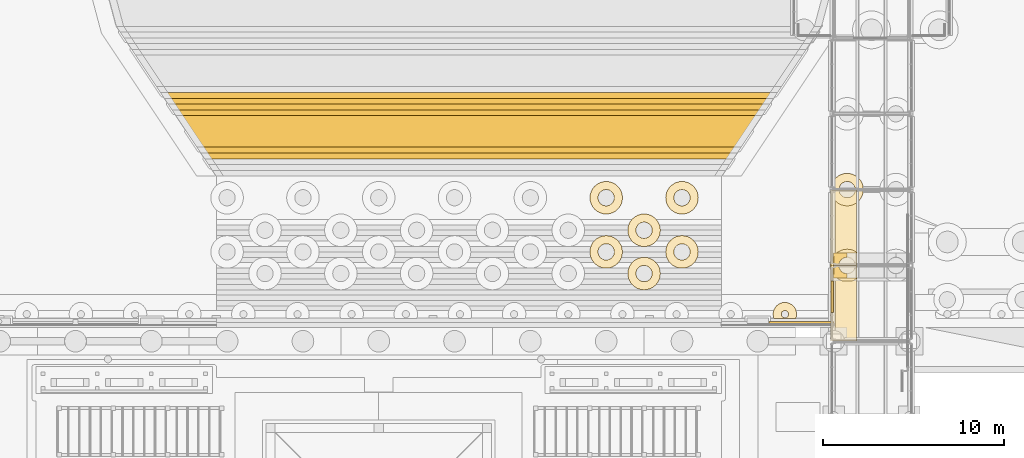
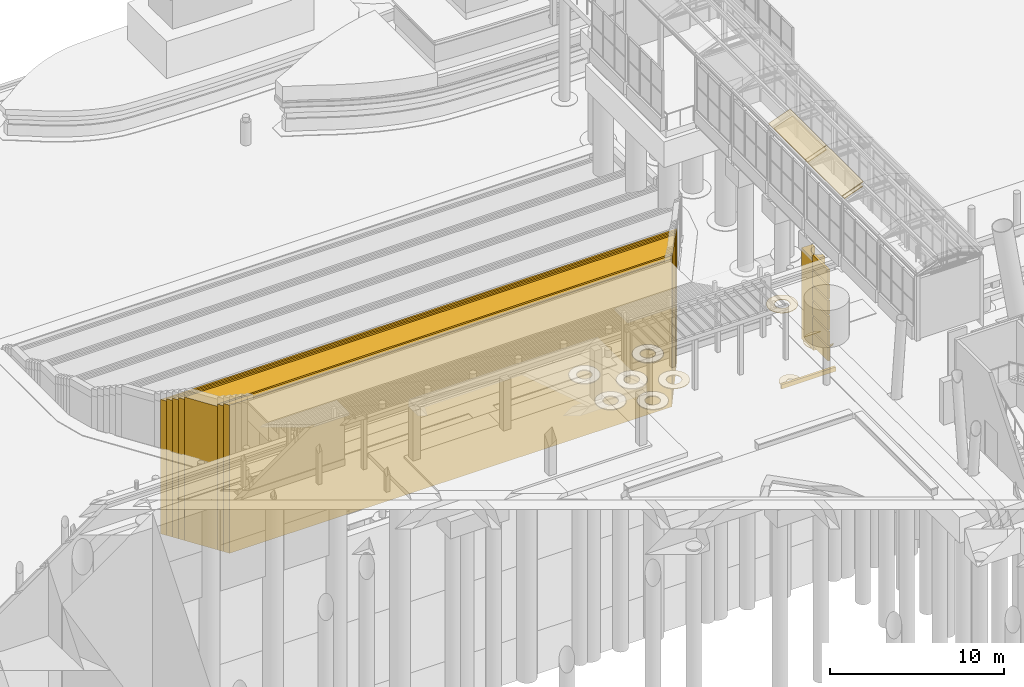
# One storey, part 180 of 222: 30 coverings.
"""IFC4 building model written with IfcOpenShell, lengths in metres."""

import ifcopenshell
import ifcopenshell.guid

model = None  # the IFC model being written
_history = None  # IfcOwnerHistory: only IFC2X3 demands one
_inside = {}  # id of a spatial element -> (the spatial element, [elements in it])
_under = {}  # id of a project, library or spatial element -> (it, [spatial elements below it])
_declared = {}  # id of a project -> (the project, [libraries it declares])
_typed = {}  # id of a type object -> (the type object, [elements of that type])
_made_of = {}  # id of a material, layer set ... -> (it, [elements and type objects made of it])


def new_model(schema):
    """Start an empty IFC model of exactly this schema.

    Asked for "IFC4X3", IfcOpenShell would pick the latest addendum, in which some entities
    have other attributes; the version numbers below select the first issue.
    IFC2X3 requires an IfcOwnerHistory on every rooted entity: one is made here for all.
    """
    global model, _history
    if schema == "IFC4X3":
        model = ifcopenshell.file(schema_version=(4, 3, 0, 0))
    else:
        model = ifcopenshell.file(schema=schema)
    _inside.clear()
    _under.clear()
    _declared.clear()
    _typed.clear()
    _made_of.clear()
    _history = None
    if model.schema == "IFC2X3":
        org = make("IfcOrganization", Name="unknown")
        user = make(
            "IfcPersonAndOrganization",
            ThePerson=make("IfcPerson", FamilyName="unknown"),
            TheOrganization=org,
        )
        app = make(
            "IfcApplication",
            ApplicationDeveloper=org,
            Version="unknown",
            ApplicationFullName="unknown",
            ApplicationIdentifier="unknown",
        )
        _history = make(
            "IfcOwnerHistory",
            OwningUser=user,
            OwningApplication=app,
            ChangeAction="ADDED",
            CreationDate=0,
        )
    return model


def make(cls, **values):
    """One entity of the class cls with the attributes given. An attribute that is None is left unset."""
    return model.create_entity(
        cls, **{name: value for name, value in values.items() if value is not None}
    )


def rooted(cls, **values):
    """An entity with a GlobalId (a new one), such as an element, a storey or a relation."""
    return make(cls, GlobalId=ifcopenshell.guid.new(), OwnerHistory=_history, **values)


def si_unit(unit_type, name, prefix=None):
    """IfcSIUnit, for example si_unit("LENGTHUNIT", "METRE", prefix="MILLI")."""
    return make("IfcSIUnit", UnitType=unit_type, Prefix=prefix, Name=name)


def assignment(units):
    """IfcUnitAssignment: the units of a project."""
    return None if units is None else make("IfcUnitAssignment", Units=units)


def point(xyz):
    """IfcCartesianPoint."""
    return None if xyz is None else make("IfcCartesianPoint", Coordinates=xyz)


def direction(xyz):
    """IfcDirection."""
    return None if xyz is None else make("IfcDirection", DirectionRatios=xyz)


def frame(location, z_axis=None, x_axis=None):
    """IfcAxis2Placement3D, a coordinate frame: its origin and axes. An axis left out is left unset."""
    return make(
        "IfcAxis2Placement3D",
        Location=point(location),
        Axis=direction(z_axis),
        RefDirection=direction(x_axis),
    )


def origin():
    """The frame at (0, 0, 0) with its axes left unset."""
    return frame((0.0, 0.0, 0.0))


def place(relative_to, where):
    """IfcLocalPlacement: puts the frame where relative to a parent placement (None: the world)."""
    return make(
        "IfcLocalPlacement", PlacementRelTo=relative_to, RelativePlacement=where
    )


def context(
    kind, dimensions, precision=None, world=None, true_north=None, identifier=None
):
    """IfcGeometricRepresentationContext, for example the 3D "Model" context."""
    return make(
        "IfcGeometricRepresentationContext",
        ContextIdentifier=identifier,
        ContextType=kind,
        CoordinateSpaceDimension=dimensions,
        Precision=precision,
        WorldCoordinateSystem=world,
        TrueNorth=true_north,
    )


def subcontext(parent, identifier, kind, view, scale=None):
    """IfcGeometricRepresentationSubContext, for example "Body" below "Model"."""
    return make(
        "IfcGeometricRepresentationSubContext",
        ContextIdentifier=identifier,
        ContextType=kind,
        ParentContext=parent,
        TargetScale=scale,
        TargetView=view,
    )


def project(units=None, contexts=None):
    """IfcProject with its units and contexts."""
    return rooted(
        "IfcProject",
        Name="project",
        RepresentationContexts=contexts,
        UnitsInContext=assignment(units),
    )


def spatial(cls, under=None, at=None, **own):
    """A site, building, storey or space (cls), placed at a placement, below another one or the project."""
    s = rooted(cls, ObjectPlacement=at, **own)
    if under is not None:
        _under.setdefault(under.id(), (under, []))[1].append(s)
    return s


def polyline(points):
    """IfcPolyline through the points."""
    return make("IfcPolyline", Points=[point(p) for p in points])


def outline(outer, holes=None, kind="AREA"):
    """IfcArbitraryClosedProfileDef: a profile drawn as a closed curve; with holes, ...WithVoids."""
    if holes is None:
        return make("IfcArbitraryClosedProfileDef", ProfileType=kind, OuterCurve=outer)
    return make(
        "IfcArbitraryProfileDefWithVoids",
        ProfileType=kind,
        OuterCurve=outer,
        InnerCurves=holes,
    )


def extrude(swept, where, along, depth):
    """IfcExtrudedAreaSolid: the profile swept, set in the frame where, extruded along a direction by depth."""
    return make(
        "IfcExtrudedAreaSolid",
        SweptArea=swept,
        Position=where,
        ExtrudedDirection=direction(along),
        Depth=depth,
    )


def shape(context_of_items, identifier, shape_type, items):
    """IfcShapeRepresentation: the items that make up one representation, for example the "Body"."""
    return make(
        "IfcShapeRepresentation",
        ContextOfItems=context_of_items,
        RepresentationIdentifier=identifier,
        RepresentationType=shape_type,
        Items=items,
    )


def material(Name=None, Category=None):
    """IfcMaterial."""
    return make("IfcMaterial", Name=Name, Category=Category)


def layer(
    of_material, thickness, ventilated=None, Name=None, Category=None, Priority=None
):
    """IfcMaterialLayer: one layer of a wall or slab, of a material (None: an air gap)."""
    return make(
        "IfcMaterialLayer",
        Material=of_material,
        LayerThickness=thickness,
        IsVentilated=ventilated,
        Name=Name,
        Category=Category,
        Priority=Priority,
    )


def layer_set(layers, Name=None):
    """IfcMaterialLayerSet."""
    return make("IfcMaterialLayerSet", MaterialLayers=layers, LayerSetName=Name)


def made_of(thing, what):
    """Note that an element or type object is made of a material, layer set ...; save() writes the relation."""
    if what is not None:
        _made_of.setdefault(what.id(), (what, []))[1].append(thing)
    return thing


def type_object(cls, material=None, **own):
    """A type object (cls), such as IfcWallType, which elements share."""
    return made_of(rooted(cls, **own), material)


def element(
    cls,
    number,
    at=None,
    inside=None,
    cuts=None,
    type_object=None,
    material=None,
    context=None,
    identifier="Body",
    shape_type=None,
    held_by="IfcProductDefinitionShape",
    body=None,
    shapes=None,
    **own,
):
    """One element of the class cls, such as IfcWall. Its Tag is "e" and its number.

    at: its placement. inside: the storey or other place that contains it. cuts: it is an
    opening in that element (IfcRelVoidsElement). A single representation is given by context,
    identifier, shape_type and body (its items); several are given by shapes. held_by: the class
    of the entity that holds the representations. save() writes the other relations.
    """
    e = rooted(cls, Tag="e%d" % number, ObjectPlacement=at, **own)
    if body is not None:
        shapes = [shape(context, identifier, shape_type, body)]
    if shapes is not None:
        e.Representation = make(held_by, Representations=shapes)
    if inside is not None:
        _inside.setdefault(inside.id(), (inside, []))[1].append(e)
    if cuts is not None:
        rooted(
            "IfcRelVoidsElement", RelatingBuildingElement=cuts, RelatedOpeningElement=e
        )
    if type_object is not None:
        _typed.setdefault(type_object.id(), (type_object, []))[1].append(e)
    return made_of(e, material)


def aggregate(whole, parts):
    """IfcRelAggregates: a whole, such as a stair, and the parts it consists of."""
    return rooted("IfcRelAggregates", RelatingObject=whole, RelatedObjects=parts)


def save(model, path):
    """Write the relations noted so far, then the file.

    IfcRelAggregates (storeys below a building ...), IfcRelContainedInSpatialStructure (elements
    in a storey), IfcRelDefinesByType, IfcRelAssociatesMaterial and IfcRelDeclares: one each for
    every whole, place, type object, material and project.
    """
    for whole, parts in _under.values():
        aggregate(whole, parts)
    for where, things in _inside.values():
        rooted(
            "IfcRelContainedInSpatialStructure",
            RelatedElements=things,
            RelatingStructure=where,
        )
    for kind, things in _typed.values():
        rooted("IfcRelDefinesByType", RelatedObjects=things, RelatingType=kind)
    for what, things in _made_of.values():
        rooted("IfcRelAssociatesMaterial", RelatedObjects=things, RelatingMaterial=what)
    for by, libraries in _declared.values():
        rooted("IfcRelDeclares", RelatingContext=by, RelatedDefinitions=libraries)
    model.write(path)


model = new_model("IFC4")

# Units and contexts
model_context = context("Model", 3, precision=1e-05, world=origin(), true_north=direction((0.0, 1.0)))
body_context = subcontext(model_context, "Body", "Model", "MODEL_VIEW")
ifc_project = project(units=[si_unit("LENGTHUNIT", "METRE"), si_unit("AREAUNIT", "SQUARE_METRE"), si_unit("VOLUMEUNIT", "CUBIC_METRE"), si_unit("PLANEANGLEUNIT", "RADIAN"), si_unit("MASSUNIT", "GRAM", prefix="KILO")], contexts=[model_context])

# Site, building, storey
site_placement = place(None, origin())
site = spatial("IfcSite", under=ifc_project, at=site_placement, CompositionType="ELEMENT")
building_placement = place(site_placement, origin())
building = spatial("IfcBuilding", under=site, at=building_placement, Name="Sava Quay Ferry Terminal", CompositionType="ELEMENT")
storey_placement = place(building_placement, origin())
storey = spatial("IfcBuildingStorey", under=building, at=storey_placement, Name="L00", CompositionType="ELEMENT", Elevation=0.0)

# Coverings
ifc_material_1 = material(Name="Limestone ashlar", Category="masonry")
ifc_layer_1 = layer(ifc_material_1, 6.35009765625)
ifc_layer_set_1 = layer_set([ifc_layer_1], Name="Limestone ashlar")
covering_type_1 = type_object("IfcCoveringType", Name="Bridge abutment pier 1.65 m", PredefinedType="CLADDING", material=ifc_layer_set_1)
covering_1_placement = place(storey_placement, frame((0.0, 0.0, -8.0)))
element("IfcCovering", 1, at=covering_1_placement, inside=storey, type_object=covering_type_1, Name="Bridge abutment pier", PredefinedType="CLADDING", context=body_context, shape_type="SweptSolid", body=[
    extrude(outline(polyline([(46.199951171875, 122.5), (46.199951171875, 121.10009765625), (46.949951171875, 121.10009765625), (46.949951171875, 121.340087890625), (46.905029296875, 121.342041015625), (46.860107421875, 121.34912109375), (46.81591796875, 121.360107421875), (46.77392578125, 121.375), (46.73291015625, 121.39404296875), (46.694091796875, 121.41796875), (46.657958984375, 121.444091796875), (46.625, 121.47509765625), (46.593994140625, 121.508056640625), (46.568115234375, 121.5439453125), (46.5439453125, 121.5830078125), (46.52490234375, 121.6240234375), (46.510009765625, 121.666015625), (46.4990234375, 121.7099609375), (46.491943359375, 121.7548828125), (46.489990234375, 121.800048828125), (46.491943359375, 121.844970703125), (46.4990234375, 121.889892578125), (46.510009765625, 121.93408203125), (46.52490234375, 121.97607421875), (46.5439453125, 122.01708984375), (46.568115234375, 122.055908203125), (46.593994140625, 122.092041015625), (46.625, 122.125), (46.657958984375, 122.156005859375), (46.694091796875, 122.181884765625), (46.73291015625, 122.2060546875), (46.77392578125, 122.22509765625), (46.81591796875, 122.239990234375), (46.860107421875, 122.2509765625), (46.905029296875, 122.258056640625), (46.949951171875, 122.260009765625), (46.949951171875, 122.5), (46.199951171875, 122.5)])), origin(), (0.0, 0.0, 1.0), 6.35009765625),
])
ifc_material_2 = material(Name="Greenheart timber", Category="wood")
ifc_layer_2 = layer(ifc_material_2, 0.14990234375)
ifc_layer_set_2 = layer_set([ifc_layer_2], Name="Greenheart timber")
covering_type_2 = type_object("IfcCoveringType", Name="Fender rubbing strip 150", PredefinedType="CLADDING", material=ifc_layer_set_2)
covering_2_placement = place(storey_placement, frame((0.0, 0.0, -7.89990234375)))
element("IfcCovering", 2, at=covering_2_placement, inside=storey, type_object=covering_type_2, Name="Fender rubbing strip", PredefinedType="CLADDING", context=body_context, shape_type="SweptSolid", body=[
    extrude(outline(polyline([(46.199951171875, 118.699951171875), (42.610107421875, 118.699951171875), (42.610107421875, 118.550048828125), (46.199951171875, 118.550048828125), (46.199951171875, 118.699951171875)])), origin(), (0.0, 0.0, 1.0), 0.2998046875),
])
ifc_material_3 = material(Name="Glulam GL28h", Category="wood")
ifc_layer_3 = layer(ifc_material_3, 0.06005859375)
ifc_layer_set_3 = layer_set([ifc_layer_3], Name="Glulam GL28h")
covering_type_3 = type_object("IfcCoveringType", Name="Glulam soffit lining 60", PredefinedType="CEILING", material=ifc_layer_set_3)
covering_3_placement = place(storey_placement, frame((46.317138671875, 117.760009765625, 4.645751953125), z_axis=(-0.341968236193, 0.0, 0.939711511814), x_axis=(0.939711511814, 0.0, 0.341968236193)))
element("IfcCovering", 3, at=covering_3_placement, inside=storey, type_object=covering_type_3, Name="Boarding gallery B1 timber soffit lining bay 3 facet 1", PredefinedType="CEILING", context=body_context, shape_type="SweptSolid", body=[
    extrude(outline(polyline([(0.0, 0.0), (1.305773916594794, 0.0), (1.305773916594794, 3.8798828125), (0.0, 3.8798828125), (0.0, 0.0)])), origin(), (0.0, 0.0, -1.0), 0.06005859375),
])
covering_4_placement = place(storey_placement, frame((46.317138671875, 121.9599609375, 4.645751953125), z_axis=(-0.341968236193, 0.0, 0.939711511814), x_axis=(0.939711511814, 0.0, 0.341968236193)))
element("IfcCovering", 4, at=covering_4_placement, inside=storey, type_object=covering_type_3, Name="Boarding gallery B1 timber soffit lining bay 4 facet 1", PredefinedType="CEILING", context=body_context, shape_type="SweptSolid", body=[
    extrude(outline(polyline([(0.0, 0.0), (1.305773916594794, 0.0), (1.305773916594794, 3.880126953125), (0.0, 3.880126953125), (0.0, 0.0)])), origin(), (0.0, 0.0, -1.0), 0.06005859375),
])
ifc_material_4 = material(Name="Water")
ifc_layer_4 = layer(ifc_material_4, 0.0400390625)
ifc_layer_set_4 = layer_set([ifc_layer_4], Name="Water")
covering_type_4 = type_object("IfcCoveringType", Name="River foam collar", PredefinedType="CLADDING", material=ifc_layer_set_4)
covering_5_placement = place(storey_placement, frame((0.0, 0.0, -8.0)))
element("IfcCovering", 5, at=covering_5_placement, inside=storey, type_object=covering_type_4, Name="River foam collar", PredefinedType="CLADDING", context=body_context, shape_type="SweptSolid", body=[
    extrude(outline(polyline([(46.387939453125, 121.10009765625), (46.448974609375, 121.050048828125), (46.60498046875, 120.966064453125), (46.658935546875, 120.949951171875), (47.240966796875, 120.949951171875), (47.294921875, 120.966064453125), (47.450927734375, 121.050048828125), (47.511962890625, 121.10009765625), (46.949951171875, 121.10009765625), (46.387939453125, 121.10009765625)])), origin(), (0.0, 0.0, 1.0), 0.0400390625),
])
covering_6_placement = place(storey_placement, frame((0.0, 0.0, -8.0)))
element("IfcCovering", 6, at=covering_6_placement, inside=storey, type_object=covering_type_4, Name="River foam collar", PredefinedType="CLADDING", context=body_context, shape_type="SweptSolid", body=[
    extrude(outline(polyline([(46.115966796875, 122.14501953125), (46.06494140625, 121.97607421875), (46.048095703125, 121.800048828125), (46.06494140625, 121.6240234375), (46.115966796875, 121.455078125), (46.199951171875, 121.299072265625), (46.199951171875, 122.301025390625), (46.115966796875, 122.14501953125)])), origin(), (0.0, 0.0, 1.0), 0.0400390625),
])
covering_7_placement = place(storey_placement, frame((0.0, 0.0, -8.0)))
element("IfcCovering", 7, at=covering_7_placement, inside=storey, type_object=covering_type_4, Name="River foam collar", PredefinedType="CLADDING", context=body_context, shape_type="SweptSolid", body=[
    extrude(outline(polyline([(47.450927734375, 122.550048828125), (47.294921875, 122.634033203125), (47.1259765625, 122.68505859375), (46.949951171875, 122.701904296875), (46.77392578125, 122.68505859375), (46.60498046875, 122.634033203125), (46.448974609375, 122.550048828125), (46.387939453125, 122.5), (47.511962890625, 122.5), (47.450927734375, 122.550048828125)])), origin(), (0.0, 0.0, 1.0), 0.0400390625),
])
covering_8_placement = place(storey_placement, frame((0.0, 0.0, -8.0)))
element("IfcCovering", 8, at=covering_8_placement, inside=storey, type_object=covering_type_4, Name="River foam collar", PredefinedType="CLADDING", context=body_context, shape_type="SweptSolid", body=[
    extrude(outline(polyline([(46.448974609375, 125.25), (46.60498046875, 125.166015625), (46.77392578125, 125.114990234375), (46.949951171875, 125.097900390625), (47.1259765625, 125.114990234375), (47.294921875, 125.166015625), (47.450927734375, 125.25), (47.587890625, 125.362060546875), (47.699951171875, 125.4990234375), (47.783935546875, 125.655029296875), (47.8349609375, 125.823974609375), (47.85205078125, 126.0), (47.8349609375, 126.176025390625), (47.783935546875, 126.344970703125), (47.699951171875, 126.5009765625), (47.587890625, 126.637939453125), (47.450927734375, 126.75), (47.294921875, 126.833984375), (47.1259765625, 126.885009765625), (46.949951171875, 126.902099609375), (46.77392578125, 126.885009765625), (46.60498046875, 126.833984375), (46.448974609375, 126.75), (46.31201171875, 126.637939453125), (46.199951171875, 126.5009765625), (46.115966796875, 126.344970703125), (46.06494140625, 126.176025390625), (46.048095703125, 126.0), (46.06494140625, 125.823974609375), (46.115966796875, 125.655029296875), (46.199951171875, 125.4990234375), (46.31201171875, 125.362060546875), (46.448974609375, 125.25)]), holes=[polyline([(46.699951171875, 126.3740234375), (46.778076171875, 126.416015625), (46.862060546875, 126.44091796875), (46.949951171875, 126.449951171875), (47.0380859375, 126.44091796875), (47.1220703125, 126.416015625), (47.199951171875, 126.3740234375), (47.26806640625, 126.318115234375), (47.323974609375, 126.25), (47.365966796875, 126.172119140625), (47.39111328125, 126.087890625), (47.39990234375, 126.0), (47.39111328125, 125.912109375), (47.365966796875, 125.827880859375), (47.323974609375, 125.75), (47.26806640625, 125.681884765625), (47.199951171875, 125.6259765625), (47.1220703125, 125.583984375), (47.0380859375, 125.55908203125), (46.949951171875, 125.550048828125), (46.862060546875, 125.55908203125), (46.778076171875, 125.583984375), (46.699951171875, 125.6259765625), (46.632080078125, 125.681884765625), (46.575927734375, 125.75), (46.533935546875, 125.827880859375), (46.509033203125, 125.912109375), (46.5, 126.0), (46.509033203125, 126.087890625), (46.533935546875, 126.172119140625), (46.575927734375, 126.25), (46.632080078125, 126.318115234375), (46.699951171875, 126.3740234375)])]), origin(), (0.0, 0.0, 1.0), 0.0400390625),
])
covering_9_placement = place(storey_placement, frame((0.0, 0.0, -8.0)))
element("IfcCovering", 9, at=covering_9_placement, inside=storey, type_object=covering_type_4, Name="River foam collar", PredefinedType="CLADDING", context=body_context, shape_type="SweptSolid", body=[
    extrude(outline(polyline([(35.35498046875, 122.18408203125), (35.198974609375, 122.10009765625), (35.06201171875, 121.988037109375), (34.949951171875, 121.85107421875), (34.865966796875, 121.695068359375), (34.81494140625, 121.52587890625), (34.798095703125, 121.35009765625), (34.81494140625, 121.174072265625), (34.865966796875, 121.0048828125), (34.949951171875, 120.84912109375), (35.06201171875, 120.7119140625), (35.198974609375, 120.60009765625), (35.35498046875, 120.51611328125), (35.52392578125, 120.465087890625), (35.699951171875, 120.447998046875), (35.8759765625, 120.465087890625), (36.044921875, 120.51611328125), (36.200927734375, 120.60009765625), (36.337890625, 120.7119140625), (36.449951171875, 120.84912109375), (36.533935546875, 121.0048828125), (36.5849609375, 121.174072265625), (36.60205078125, 121.35009765625), (36.5849609375, 121.52587890625), (36.533935546875, 121.695068359375), (36.449951171875, 121.85107421875), (36.337890625, 121.988037109375), (36.200927734375, 122.10009765625), (36.044921875, 122.18408203125), (35.8759765625, 122.235107421875), (35.699951171875, 122.251953125), (35.52392578125, 122.235107421875), (35.35498046875, 122.18408203125)]), holes=[polyline([(35.528076171875, 120.93408203125), (35.449951171875, 120.97607421875), (35.382080078125, 121.031982421875), (35.325927734375, 121.10009765625), (35.283935546875, 121.177978515625), (35.259033203125, 121.261962890625), (35.25, 121.35009765625), (35.259033203125, 121.43798828125), (35.283935546875, 121.52197265625), (35.325927734375, 121.60009765625), (35.382080078125, 121.66796875), (35.449951171875, 121.72412109375), (35.528076171875, 121.76611328125), (35.612060546875, 121.791015625), (35.699951171875, 121.800048828125), (35.7880859375, 121.791015625), (35.8720703125, 121.76611328125), (35.949951171875, 121.72412109375), (36.01806640625, 121.66796875), (36.073974609375, 121.60009765625), (36.115966796875, 121.52197265625), (36.14111328125, 121.43798828125), (36.14990234375, 121.35009765625), (36.14111328125, 121.261962890625), (36.115966796875, 121.177978515625), (36.073974609375, 121.10009765625), (36.01806640625, 121.031982421875), (35.949951171875, 120.97607421875), (35.8720703125, 120.93408203125), (35.7880859375, 120.908935546875), (35.699951171875, 120.89990234375), (35.612060546875, 120.908935546875), (35.528076171875, 120.93408203125)])]), origin(), (0.0, 0.0, 1.0), 0.0400390625),
])
covering_10_placement = place(storey_placement, frame((0.0, 0.0, -8.0)))
element("IfcCovering", 10, at=covering_10_placement, inside=storey, type_object=covering_type_4, Name="River foam collar", PredefinedType="CLADDING", context=body_context, shape_type="SweptSolid", body=[
    extrude(outline(polyline([(34.238037109375, 123.18798828125), (34.10107421875, 123.300048828125), (33.945068359375, 123.384033203125), (33.77587890625, 123.43505859375), (33.60009765625, 123.451904296875), (33.424072265625, 123.43505859375), (33.2548828125, 123.384033203125), (33.09912109375, 123.300048828125), (32.9619140625, 123.18798828125), (32.85009765625, 123.051025390625), (32.76611328125, 122.89501953125), (32.715087890625, 122.72607421875), (32.697998046875, 122.550048828125), (32.715087890625, 122.3740234375), (32.76611328125, 122.205078125), (32.85009765625, 122.049072265625), (32.9619140625, 121.912109375), (33.09912109375, 121.800048828125), (33.2548828125, 121.716064453125), (33.424072265625, 121.6650390625), (33.60009765625, 121.64794921875), (33.77587890625, 121.6650390625), (33.945068359375, 121.716064453125), (34.10107421875, 121.800048828125), (34.238037109375, 121.912109375), (34.35009765625, 122.049072265625), (34.43408203125, 122.205078125), (34.485107421875, 122.3740234375), (34.501953125, 122.550048828125), (34.485107421875, 122.72607421875), (34.43408203125, 122.89501953125), (34.35009765625, 123.051025390625), (34.238037109375, 123.18798828125)]), holes=[polyline([(33.91796875, 122.23193359375), (33.85009765625, 122.176025390625), (33.77197265625, 122.134033203125), (33.68798828125, 122.10888671875), (33.60009765625, 122.10009765625), (33.511962890625, 122.10888671875), (33.427978515625, 122.134033203125), (33.35009765625, 122.176025390625), (33.281982421875, 122.23193359375), (33.22607421875, 122.300048828125), (33.18408203125, 122.3779296875), (33.158935546875, 122.4619140625), (33.14990234375, 122.550048828125), (33.158935546875, 122.637939453125), (33.18408203125, 122.721923828125), (33.22607421875, 122.800048828125), (33.281982421875, 122.867919921875), (33.35009765625, 122.924072265625), (33.427978515625, 122.966064453125), (33.511962890625, 122.990966796875), (33.60009765625, 123.0), (33.68798828125, 122.990966796875), (33.77197265625, 122.966064453125), (33.85009765625, 122.924072265625), (33.91796875, 122.867919921875), (33.97412109375, 122.800048828125), (34.01611328125, 122.721923828125), (34.041015625, 122.637939453125), (34.050048828125, 122.550048828125), (34.041015625, 122.4619140625), (34.01611328125, 122.3779296875), (33.97412109375, 122.300048828125), (33.91796875, 122.23193359375)])]), origin(), (0.0, 0.0, 1.0), 0.0400390625),
])
covering_11_placement = place(storey_placement, frame((0.0, 0.0, -8.0)))
element("IfcCovering", 11, at=covering_11_placement, inside=storey, type_object=covering_type_4, Name="River foam collar", PredefinedType="CLADDING", context=body_context, shape_type="SweptSolid", body=[
    extrude(outline(polyline([(38.550048828125, 123.051025390625), (38.43798828125, 123.18798828125), (38.301025390625, 123.300048828125), (38.14501953125, 123.384033203125), (37.97607421875, 123.43505859375), (37.800048828125, 123.451904296875), (37.6240234375, 123.43505859375), (37.455078125, 123.384033203125), (37.299072265625, 123.300048828125), (37.162109375, 123.18798828125), (37.050048828125, 123.051025390625), (36.966064453125, 122.89501953125), (36.9150390625, 122.72607421875), (36.89794921875, 122.550048828125), (36.9150390625, 122.3740234375), (36.966064453125, 122.205078125), (37.050048828125, 122.049072265625), (37.162109375, 121.912109375), (37.299072265625, 121.800048828125), (37.455078125, 121.716064453125), (37.6240234375, 121.6650390625), (37.800048828125, 121.64794921875), (37.97607421875, 121.6650390625), (38.14501953125, 121.716064453125), (38.301025390625, 121.800048828125), (38.43798828125, 121.912109375), (38.550048828125, 122.049072265625), (38.634033203125, 122.205078125), (38.68505859375, 122.3740234375), (38.701904296875, 122.550048828125), (38.68505859375, 122.72607421875), (38.634033203125, 122.89501953125), (38.550048828125, 123.051025390625)]), holes=[polyline([(38.174072265625, 122.300048828125), (38.117919921875, 122.23193359375), (38.050048828125, 122.176025390625), (37.971923828125, 122.134033203125), (37.887939453125, 122.10888671875), (37.800048828125, 122.10009765625), (37.7119140625, 122.10888671875), (37.6279296875, 122.134033203125), (37.550048828125, 122.176025390625), (37.48193359375, 122.23193359375), (37.426025390625, 122.300048828125), (37.384033203125, 122.3779296875), (37.35888671875, 122.4619140625), (37.35009765625, 122.550048828125), (37.35888671875, 122.637939453125), (37.384033203125, 122.721923828125), (37.426025390625, 122.800048828125), (37.48193359375, 122.867919921875), (37.550048828125, 122.924072265625), (37.6279296875, 122.966064453125), (37.7119140625, 122.990966796875), (37.800048828125, 123.0), (37.887939453125, 122.990966796875), (37.971923828125, 122.966064453125), (38.050048828125, 122.924072265625), (38.117919921875, 122.867919921875), (38.174072265625, 122.800048828125), (38.216064453125, 122.721923828125), (38.240966796875, 122.637939453125), (38.25, 122.550048828125), (38.240966796875, 122.4619140625), (38.216064453125, 122.3779296875), (38.174072265625, 122.300048828125)])]), origin(), (0.0, 0.0, 1.0), 0.0400390625),
])
covering_12_placement = place(storey_placement, frame((0.0, 0.0, -8.0)))
element("IfcCovering", 12, at=covering_12_placement, inside=storey, type_object=covering_type_4, Name="River foam collar", PredefinedType="CLADDING", context=body_context, shape_type="SweptSolid", body=[
    extrude(outline(polyline([(36.449951171875, 123.2490234375), (36.533935546875, 123.405029296875), (36.5849609375, 123.573974609375), (36.60205078125, 123.75), (36.5849609375, 123.926025390625), (36.533935546875, 124.094970703125), (36.449951171875, 124.2509765625), (36.337890625, 124.387939453125), (36.200927734375, 124.5), (36.044921875, 124.583984375), (35.8759765625, 124.635009765625), (35.699951171875, 124.652099609375), (35.52392578125, 124.635009765625), (35.35498046875, 124.583984375), (35.198974609375, 124.5), (35.06201171875, 124.387939453125), (34.949951171875, 124.2509765625), (34.865966796875, 124.094970703125), (34.81494140625, 123.926025390625), (34.798095703125, 123.75), (34.81494140625, 123.573974609375), (34.865966796875, 123.405029296875), (34.949951171875, 123.2490234375), (35.06201171875, 123.112060546875), (35.198974609375, 123.0), (35.35498046875, 122.916015625), (35.52392578125, 122.864990234375), (35.699951171875, 122.847900390625), (35.8759765625, 122.864990234375), (36.044921875, 122.916015625), (36.200927734375, 123.0), (36.337890625, 123.112060546875), (36.449951171875, 123.2490234375)]), holes=[polyline([(36.073974609375, 124.0), (36.115966796875, 123.922119140625), (36.14111328125, 123.837890625), (36.14990234375, 123.75), (36.14111328125, 123.662109375), (36.115966796875, 123.577880859375), (36.073974609375, 123.5), (36.01806640625, 123.431884765625), (35.949951171875, 123.3759765625), (35.8720703125, 123.333984375), (35.7880859375, 123.30908203125), (35.699951171875, 123.300048828125), (35.612060546875, 123.30908203125), (35.528076171875, 123.333984375), (35.449951171875, 123.3759765625), (35.382080078125, 123.431884765625), (35.325927734375, 123.5), (35.283935546875, 123.577880859375), (35.259033203125, 123.662109375), (35.25, 123.75), (35.259033203125, 123.837890625), (35.283935546875, 123.922119140625), (35.325927734375, 124.0), (35.382080078125, 124.068115234375), (35.449951171875, 124.1240234375), (35.528076171875, 124.166015625), (35.612060546875, 124.19091796875), (35.699951171875, 124.199951171875), (35.7880859375, 124.19091796875), (35.8720703125, 124.166015625), (35.949951171875, 124.1240234375), (36.01806640625, 124.068115234375), (36.073974609375, 124.0)])]), origin(), (0.0, 0.0, 1.0), 0.0400390625),
])
covering_13_placement = place(storey_placement, frame((0.0, 0.0, -8.0)))
element("IfcCovering", 13, at=covering_13_placement, inside=storey, type_object=covering_type_4, Name="River foam collar", PredefinedType="CLADDING", context=body_context, shape_type="SweptSolid", body=[
    extrude(outline(polyline([(33.424072265625, 124.6650390625), (33.60009765625, 124.64794921875), (33.77587890625, 124.6650390625), (33.945068359375, 124.716064453125), (34.10107421875, 124.800048828125), (34.238037109375, 124.912109375), (34.35009765625, 125.049072265625), (34.43408203125, 125.205078125), (34.485107421875, 125.3740234375), (34.501953125, 125.550048828125), (34.485107421875, 125.72607421875), (34.43408203125, 125.89501953125), (34.35009765625, 126.051025390625), (34.238037109375, 126.18798828125), (34.10107421875, 126.300048828125), (33.945068359375, 126.384033203125), (33.77587890625, 126.43505859375), (33.60009765625, 126.451904296875), (33.424072265625, 126.43505859375), (33.2548828125, 126.384033203125), (33.09912109375, 126.300048828125), (32.9619140625, 126.18798828125), (32.85009765625, 126.051025390625), (32.76611328125, 125.89501953125), (32.715087890625, 125.72607421875), (32.697998046875, 125.550048828125), (32.715087890625, 125.3740234375), (32.76611328125, 125.205078125), (32.85009765625, 125.049072265625), (32.9619140625, 124.912109375), (33.09912109375, 124.800048828125), (33.2548828125, 124.716064453125), (33.424072265625, 124.6650390625)]), holes=[polyline([(33.511962890625, 125.990966796875), (33.60009765625, 126.0), (33.68798828125, 125.990966796875), (33.77197265625, 125.966064453125), (33.85009765625, 125.924072265625), (33.91796875, 125.867919921875), (33.97412109375, 125.800048828125), (34.01611328125, 125.721923828125), (34.041015625, 125.637939453125), (34.050048828125, 125.550048828125), (34.041015625, 125.4619140625), (34.01611328125, 125.3779296875), (33.97412109375, 125.300048828125), (33.91796875, 125.23193359375), (33.85009765625, 125.176025390625), (33.77197265625, 125.134033203125), (33.68798828125, 125.10888671875), (33.60009765625, 125.10009765625), (33.511962890625, 125.10888671875), (33.427978515625, 125.134033203125), (33.35009765625, 125.176025390625), (33.281982421875, 125.23193359375), (33.22607421875, 125.300048828125), (33.18408203125, 125.3779296875), (33.158935546875, 125.4619140625), (33.14990234375, 125.550048828125), (33.158935546875, 125.637939453125), (33.18408203125, 125.721923828125), (33.22607421875, 125.800048828125), (33.281982421875, 125.867919921875), (33.35009765625, 125.924072265625), (33.427978515625, 125.966064453125), (33.511962890625, 125.990966796875)])]), origin(), (0.0, 0.0, 1.0), 0.0400390625),
])
covering_14_placement = place(storey_placement, frame((0.0, 0.0, -8.0)))
element("IfcCovering", 14, at=covering_14_placement, inside=storey, type_object=covering_type_4, Name="River foam collar", PredefinedType="CLADDING", context=body_context, shape_type="SweptSolid", body=[
    extrude(outline(polyline([(37.455078125, 124.716064453125), (37.6240234375, 124.6650390625), (37.800048828125, 124.64794921875), (37.97607421875, 124.6650390625), (38.14501953125, 124.716064453125), (38.301025390625, 124.800048828125), (38.43798828125, 124.912109375), (38.550048828125, 125.049072265625), (38.634033203125, 125.205078125), (38.68505859375, 125.3740234375), (38.701904296875, 125.550048828125), (38.68505859375, 125.72607421875), (38.634033203125, 125.89501953125), (38.550048828125, 126.051025390625), (38.43798828125, 126.18798828125), (38.301025390625, 126.300048828125), (38.14501953125, 126.384033203125), (37.97607421875, 126.43505859375), (37.800048828125, 126.451904296875), (37.6240234375, 126.43505859375), (37.455078125, 126.384033203125), (37.299072265625, 126.300048828125), (37.162109375, 126.18798828125), (37.050048828125, 126.051025390625), (36.966064453125, 125.89501953125), (36.9150390625, 125.72607421875), (36.89794921875, 125.550048828125), (36.9150390625, 125.3740234375), (36.966064453125, 125.205078125), (37.050048828125, 125.049072265625), (37.162109375, 124.912109375), (37.299072265625, 124.800048828125), (37.455078125, 124.716064453125)]), holes=[polyline([(37.6279296875, 125.966064453125), (37.7119140625, 125.990966796875), (37.800048828125, 126.0), (37.887939453125, 125.990966796875), (37.971923828125, 125.966064453125), (38.050048828125, 125.924072265625), (38.117919921875, 125.867919921875), (38.174072265625, 125.800048828125), (38.216064453125, 125.721923828125), (38.240966796875, 125.637939453125), (38.25, 125.550048828125), (38.240966796875, 125.4619140625), (38.216064453125, 125.3779296875), (38.174072265625, 125.300048828125), (38.117919921875, 125.23193359375), (38.050048828125, 125.176025390625), (37.971923828125, 125.134033203125), (37.887939453125, 125.10888671875), (37.800048828125, 125.10009765625), (37.7119140625, 125.10888671875), (37.6279296875, 125.134033203125), (37.550048828125, 125.176025390625), (37.48193359375, 125.23193359375), (37.426025390625, 125.300048828125), (37.384033203125, 125.3779296875), (37.35888671875, 125.4619140625), (37.35009765625, 125.550048828125), (37.35888671875, 125.637939453125), (37.384033203125, 125.721923828125), (37.426025390625, 125.800048828125), (37.48193359375, 125.867919921875), (37.550048828125, 125.924072265625), (37.6279296875, 125.966064453125)])]), origin(), (0.0, 0.0, 1.0), 0.0400390625),
])
covering_15_placement = place(storey_placement, frame((0.0, 0.0, -8.0)))
element("IfcCovering", 15, at=covering_15_placement, inside=storey, type_object=covering_type_4, Name="River foam collar", PredefinedType="CLADDING", context=body_context, shape_type="SweptSolid", body=[
    extrude(outline(polyline([(43.75, 119.702880859375), (43.626953125, 119.739990234375), (43.5, 119.751953125), (43.373046875, 119.739990234375), (43.25, 119.702880859375), (43.137939453125, 119.64208984375), (43.0390625, 119.56103515625), (42.9580078125, 119.4619140625), (42.89697265625, 119.35009765625), (42.860107421875, 119.22705078125), (42.847900390625, 119.10009765625), (42.860107421875, 118.972900390625), (42.89794921875, 118.85009765625), (44.10205078125, 118.85009765625), (44.139892578125, 118.972900390625), (44.152099609375, 119.10009765625), (44.139892578125, 119.22705078125), (44.10302734375, 119.35009765625), (44.0419921875, 119.4619140625), (43.9609375, 119.56103515625), (43.862060546875, 119.64208984375), (43.75, 119.702880859375)]), holes=[polyline([(43.333984375, 119.2109375), (43.35888671875, 119.240966796875), (43.388916015625, 119.26611328125), (43.423095703125, 119.284912109375), (43.4609375, 119.2958984375), (43.5, 119.300048828125), (43.5390625, 119.2958984375), (43.576904296875, 119.284912109375), (43.611083984375, 119.26611328125), (43.64111328125, 119.240966796875), (43.666015625, 119.2109375), (43.68505859375, 119.177001953125), (43.696044921875, 119.138916015625), (43.699951171875, 119.10009765625), (43.696044921875, 119.06103515625), (43.68505859375, 119.02294921875), (43.666015625, 118.989013671875), (43.64111328125, 118.958984375), (43.611083984375, 118.93408203125), (43.576904296875, 118.9150390625), (43.5390625, 118.904052734375), (43.5, 118.89990234375), (43.4609375, 118.904052734375), (43.423095703125, 118.9150390625), (43.388916015625, 118.93408203125), (43.35888671875, 118.958984375), (43.333984375, 118.989013671875), (43.31494140625, 119.02294921875), (43.303955078125, 119.06103515625), (43.300048828125, 119.10009765625), (43.303955078125, 119.138916015625), (43.31494140625, 119.177001953125), (43.333984375, 119.2109375)])]), origin(), (0.0, 0.0, 1.0), 0.0400390625),
])
ifc_material_5 = material(Name="Limestone Mutalj", Category="masonry")
ifc_layer_5 = layer(ifc_material_5, 0.050048828125)
ifc_layer_set_5 = layer_set([ifc_layer_5], Name="Limestone Mutalj")
covering_type_5 = type_object("IfcCoveringType", Name="Rustication course 250", PredefinedType="MOLDING", material=ifc_layer_set_5)
for number, where, name in (
    (16, (0.0, 0.0, -7.5400390625), "Rustication course"),
    (17, (0.0, 0.0, -6.456787109375), "Rustication course"),
    (18, (0.0, 0.0, -5.373291015625), "Rustication course"),
    (19, (0.0, 0.0, -4.2900390625), "Rustication course"),
    (20, (0.0, 0.0, -3.206787109375), "Rustication course"),
    (21, (0.0, 0.0, -2.123291015625), "Rustication course"),
):
    element("IfcCovering", number, at=place(storey_placement, frame(where)), inside=storey, type_object=covering_type_5, Name=name, PredefinedType="MOLDING", context=body_context, shape_type="SweptSolid", body=[
        extrude(outline(polyline([(46.050048828125, 119.199951171875), (46.199951171875, 119.199951171875), (46.199951171875, 120.949951171875), (46.050048828125, 120.949951171875), (46.050048828125, 119.199951171875)])), origin(), (0.0, 0.0, 1.0), 0.96337890625),
    ])
ifc_material_6 = material(Name="Zinc standing seam sheet")
ifc_layer_6 = layer(ifc_material_6, 0.0400390625)
ifc_layer_set_6 = layer_set([ifc_layer_6], Name="Zinc standing seam sheet")
covering_type_6 = type_object("IfcCoveringType", Name="Standing seam roofing 40", PredefinedType="ROOFING", material=ifc_layer_set_6)
for number, where, z_axis, x_axis, name in (
    (22, (46.0361328125, 117.610107421875, 4.979736328125), (-0.342089424704, 0.0, 0.939667401534), (0.939667401534, 0.0, 0.342089424704), "Boarding gallery B1 roofing bay 3 facet 1"),
    (23, (46.0361328125, 121.81005859375, 4.979736328125), (-0.342089424704, 0.0, 0.939667401534), (0.939667401534, 0.0, 0.342089424704), "Boarding gallery B1 roofing bay 4 facet 1"),
):
    element("IfcCovering", number, at=place(storey_placement, frame(where, z_axis=z_axis, x_axis=x_axis)), inside=storey, type_object=covering_type_6, Name=name, PredefinedType="ROOFING", context=body_context, shape_type="SweptSolid", body=[
        extrude(outline(polyline([(0.0, 0.0), (1.5279778922638676, 0.0), (1.5279778922638676, 4.179931640625), (0.0, 4.179931640625), (0.0, 0.0)])), origin(), (0.0, 0.0, -1.0), 0.0400390625),
    ])
ifc_material_7 = material(Name="Limestone ashlar", Category="masonry")
ifc_layer_7 = layer(ifc_material_7, 0.159912109375)
ifc_layer_set_7 = layer_set([ifc_layer_7], Name="Limestone ashlar")
covering_type_7 = type_object("IfcCoveringType", Name="Wet stair stone tread", PredefinedType="FLOORING", material=ifc_layer_set_7)
covering_16_placement = place(storey_placement, frame((0.0, 0.0, -14.0)))
element("IfcCovering", 24, at=covering_16_placement, inside=storey, type_object=covering_type_7, Name="Wet stair tread", PredefinedType="FLOORING", context=body_context, shape_type="SweptSolid", body=[
    extrude(outline(polyline([(11.360107421875, 127.7099609375), (40.639892578125, 127.7099609375), (40.85302734375, 128.030029296875), (11.14697265625, 128.030029296875), (11.360107421875, 127.7099609375)])), origin(), (0.0, 0.0, 1.0), 10.363525390625),
])
covering_17_placement = place(storey_placement, frame((0.0, 0.0, -14.0)))
element("IfcCovering", 25, at=covering_17_placement, inside=storey, type_object=covering_type_7, Name="Wet stair tread", PredefinedType="FLOORING", context=body_context, shape_type="SweptSolid", body=[
    extrude(outline(polyline([(11.14697265625, 128.030029296875), (40.85302734375, 128.030029296875), (41.06689453125, 128.35009765625), (10.93310546875, 128.35009765625), (11.14697265625, 128.030029296875)])), origin(), (0.0, 0.0, 1.0), 10.20458984375),
])
covering_18_placement = place(storey_placement, frame((0.0, 0.0, -14.0)))
element("IfcCovering", 26, at=covering_18_placement, inside=storey, type_object=covering_type_7, Name="Wet stair tread", PredefinedType="FLOORING", context=body_context, shape_type="SweptSolid", body=[
    extrude(outline(polyline([(10.93310546875, 128.35009765625), (41.06689453125, 128.35009765625), (42.23291015625, 130.10009765625), (9.76708984375, 130.10009765625), (10.93310546875, 128.35009765625)])), origin(), (0.0, 0.0, 1.0), 10.04541015625),
])
covering_19_placement = place(storey_placement, frame((0.0, 0.0, -14.0)))
element("IfcCovering", 27, at=covering_19_placement, inside=storey, type_object=covering_type_7, Name="Wet stair tread", PredefinedType="FLOORING", context=body_context, shape_type="SweptSolid", body=[
    extrude(outline(polyline([(9.76708984375, 130.10009765625), (42.23291015625, 130.10009765625), (42.447021484375, 130.419921875), (9.552978515625, 130.419921875), (9.76708984375, 130.10009765625)])), origin(), (0.0, 0.0, 1.0), 9.886474609375),
])
covering_20_placement = place(storey_placement, frame((0.0, 0.0, -14.0)))
element("IfcCovering", 28, at=covering_20_placement, inside=storey, type_object=covering_type_7, Name="Wet stair tread", PredefinedType="FLOORING", context=body_context, shape_type="SweptSolid", body=[
    extrude(outline(polyline([(9.552978515625, 130.419921875), (42.447021484375, 130.419921875), (42.659912109375, 130.739990234375), (9.340087890625, 130.739990234375), (9.552978515625, 130.419921875)])), origin(), (0.0, 0.0, 1.0), 9.727294921875),
])
covering_21_placement = place(storey_placement, frame((0.0, 0.0, -14.0)))
element("IfcCovering", 29, at=covering_21_placement, inside=storey, type_object=covering_type_7, Name="Wet stair tread", PredefinedType="FLOORING", context=body_context, shape_type="SweptSolid", body=[
    extrude(outline(polyline([(9.340087890625, 130.739990234375), (42.659912109375, 130.739990234375), (42.873046875, 131.06005859375), (9.126953125, 131.06005859375), (9.340087890625, 130.739990234375)])), origin(), (0.0, 0.0, 1.0), 9.568115234375),
])
covering_22_placement = place(storey_placement, frame((0.0, 0.0, -14.0)))
element("IfcCovering", 30, at=covering_22_placement, inside=storey, type_object=covering_type_7, Name="Wet stair tread", PredefinedType="FLOORING", context=body_context, shape_type="SweptSolid", body=[
    extrude(outline(polyline([(9.126953125, 131.06005859375), (42.873046875, 131.06005859375), (43.0869140625, 131.3798828125), (8.9130859375, 131.3798828125), (9.126953125, 131.06005859375)])), origin(), (0.0, 0.0, 1.0), 9.4091796875),
])

save(model, "model.ifc")
